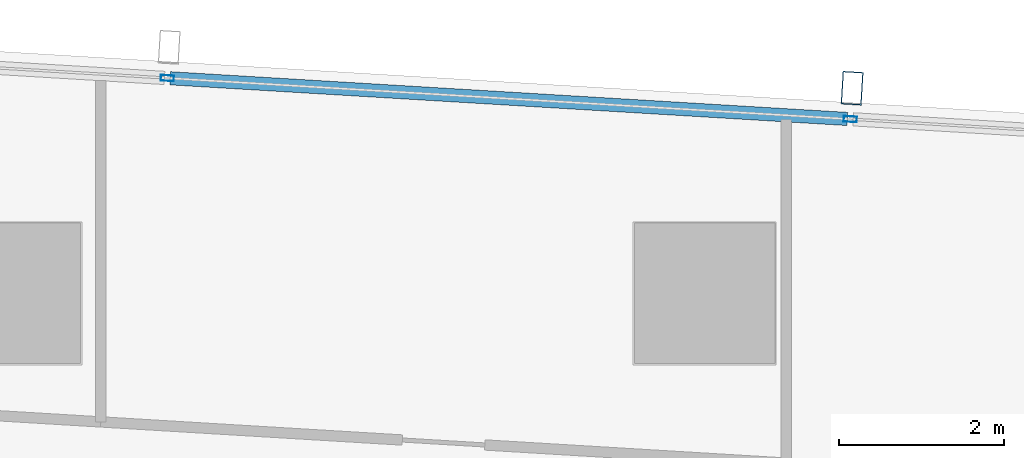
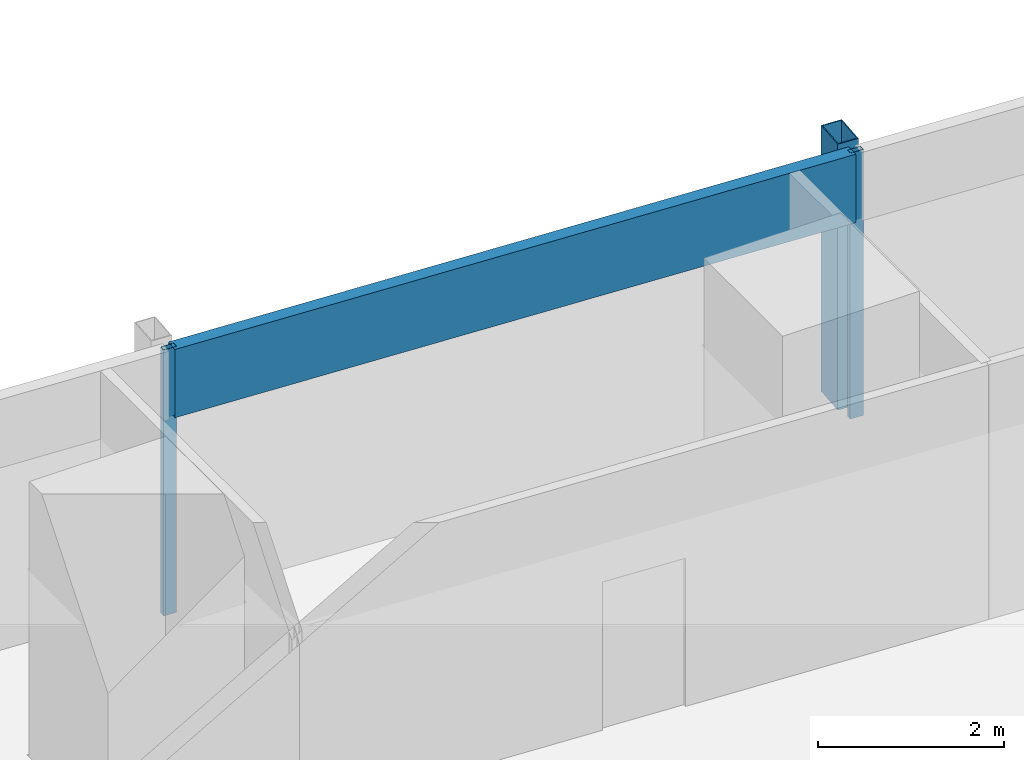
# One storey, part 19 of 40: 4 members, 1 element without a shape of its own.
"""IFC4 building model written with IfcOpenShell, lengths in metres."""

import ifcopenshell
import ifcopenshell.guid

model = None  # the IFC model being written
_history = None  # IfcOwnerHistory: only IFC2X3 demands one
_inside = {}  # id of a spatial element -> (the spatial element, [elements in it])
_under = {}  # id of a project, library or spatial element -> (it, [spatial elements below it])
_declared = {}  # id of a project -> (the project, [libraries it declares])
_typed = {}  # id of a type object -> (the type object, [elements of that type])
_made_of = {}  # id of a material, layer set ... -> (it, [elements and type objects made of it])


def new_model(schema):
    """Start an empty IFC model of exactly this schema.

    Asked for "IFC4X3", IfcOpenShell would pick the latest addendum, in which some entities
    have other attributes; the version numbers below select the first issue.
    IFC2X3 requires an IfcOwnerHistory on every rooted entity: one is made here for all.
    """
    global model, _history
    if schema == "IFC4X3":
        model = ifcopenshell.file(schema_version=(4, 3, 0, 0))
    else:
        model = ifcopenshell.file(schema=schema)
    _inside.clear()
    _under.clear()
    _declared.clear()
    _typed.clear()
    _made_of.clear()
    _history = None
    if model.schema == "IFC2X3":
        org = make("IfcOrganization", Name="unknown")
        user = make(
            "IfcPersonAndOrganization",
            ThePerson=make("IfcPerson", FamilyName="unknown"),
            TheOrganization=org,
        )
        app = make(
            "IfcApplication",
            ApplicationDeveloper=org,
            Version="unknown",
            ApplicationFullName="unknown",
            ApplicationIdentifier="unknown",
        )
        _history = make(
            "IfcOwnerHistory",
            OwningUser=user,
            OwningApplication=app,
            ChangeAction="ADDED",
            CreationDate=0,
        )
    return model


def make(cls, **values):
    """One entity of the class cls with the attributes given. An attribute that is None is left unset."""
    return model.create_entity(
        cls, **{name: value for name, value in values.items() if value is not None}
    )


def rooted(cls, **values):
    """An entity with a GlobalId (a new one), such as an element, a storey or a relation."""
    return make(cls, GlobalId=ifcopenshell.guid.new(), OwnerHistory=_history, **values)


def si_unit(unit_type, name, prefix=None):
    """IfcSIUnit, for example si_unit("LENGTHUNIT", "METRE", prefix="MILLI")."""
    return make("IfcSIUnit", UnitType=unit_type, Prefix=prefix, Name=name)


def assignment(units):
    """IfcUnitAssignment: the units of a project."""
    return None if units is None else make("IfcUnitAssignment", Units=units)


def point(xyz):
    """IfcCartesianPoint."""
    return None if xyz is None else make("IfcCartesianPoint", Coordinates=xyz)


def direction(xyz):
    """IfcDirection."""
    return None if xyz is None else make("IfcDirection", DirectionRatios=xyz)


def frame(location, z_axis=None, x_axis=None):
    """IfcAxis2Placement3D, a coordinate frame: its origin and axes. An axis left out is left unset."""
    return make(
        "IfcAxis2Placement3D",
        Location=point(location),
        Axis=direction(z_axis),
        RefDirection=direction(x_axis),
    )


def frame_2d(location, x_axis=None):
    """IfcAxis2Placement2D, a coordinate frame in the plane: its origin and x axis."""
    return make(
        "IfcAxis2Placement2D", Location=point(location), RefDirection=direction(x_axis)
    )


def origin():
    """The frame at (0, 0, 0) with its axes left unset."""
    return frame((0.0, 0.0, 0.0))


def origin_2d():
    """The frame at (0, 0) in the plane with its x axis left unset."""
    return frame_2d((0.0, 0.0))


def place(relative_to, where):
    """IfcLocalPlacement: puts the frame where relative to a parent placement (None: the world)."""
    return make(
        "IfcLocalPlacement", PlacementRelTo=relative_to, RelativePlacement=where
    )


def context(
    kind, dimensions, precision=None, world=None, true_north=None, identifier=None
):
    """IfcGeometricRepresentationContext, for example the 3D "Model" context."""
    return make(
        "IfcGeometricRepresentationContext",
        ContextIdentifier=identifier,
        ContextType=kind,
        CoordinateSpaceDimension=dimensions,
        Precision=precision,
        WorldCoordinateSystem=world,
        TrueNorth=true_north,
    )


def subcontext(parent, identifier, kind, view, scale=None):
    """IfcGeometricRepresentationSubContext, for example "Body" below "Model"."""
    return make(
        "IfcGeometricRepresentationSubContext",
        ContextIdentifier=identifier,
        ContextType=kind,
        ParentContext=parent,
        TargetScale=scale,
        TargetView=view,
    )


def project(units=None, contexts=None):
    """IfcProject with its units and contexts."""
    return rooted(
        "IfcProject",
        Name="project",
        RepresentationContexts=contexts,
        UnitsInContext=assignment(units),
    )


def spatial(cls, under=None, at=None, **own):
    """A site, building, storey or space (cls), placed at a placement, below another one or the project."""
    s = rooted(cls, ObjectPlacement=at, **own)
    if under is not None:
        _under.setdefault(under.id(), (under, []))[1].append(s)
    return s


def profile(cls, at=None, kind="AREA", **sizes):
    """A parametric profile (cls). Its sizes go by their IFC names, for example OverallWidth=200.0."""
    return make(cls, ProfileType=kind, Position=at, **sizes)


def hollow_rectangle(**sizes):
    """IfcRectangleHollowProfileDef."""
    return profile("IfcRectangleHollowProfileDef", **sizes)


def extrude(swept, where, along, depth):
    """IfcExtrudedAreaSolid: the profile swept, set in the frame where, extruded along a direction by depth."""
    return make(
        "IfcExtrudedAreaSolid",
        SweptArea=swept,
        Position=where,
        ExtrudedDirection=direction(along),
        Depth=depth,
    )


def shape(context_of_items, identifier, shape_type, items):
    """IfcShapeRepresentation: the items that make up one representation, for example the "Body"."""
    return make(
        "IfcShapeRepresentation",
        ContextOfItems=context_of_items,
        RepresentationIdentifier=identifier,
        RepresentationType=shape_type,
        Items=items,
    )


def material(Name=None, Category=None):
    """IfcMaterial."""
    return make("IfcMaterial", Name=Name, Category=Category)


def material_profile(
    of_material, cross_section, Name=None, Category=None, Priority=None
):
    """IfcMaterialProfile: a cross section and its material."""
    return make(
        "IfcMaterialProfile",
        Name=Name,
        Material=of_material,
        Profile=cross_section,
        Priority=Priority,
        Category=Category,
    )


def profile_set(profiles, Name=None, composite=None):
    """IfcMaterialProfileSet."""
    return make(
        "IfcMaterialProfileSet",
        Name=Name,
        MaterialProfiles=profiles,
        CompositeProfile=composite,
    )


def made_of(thing, what):
    """Note that an element or type object is made of a material, layer set ...; save() writes the relation."""
    if what is not None:
        _made_of.setdefault(what.id(), (what, []))[1].append(thing)
    return thing


def type_object(cls, material=None, **own):
    """A type object (cls), such as IfcWallType, which elements share."""
    return made_of(rooted(cls, **own), material)


def element(
    cls,
    number,
    at=None,
    inside=None,
    cuts=None,
    type_object=None,
    material=None,
    context=None,
    identifier="Body",
    shape_type=None,
    held_by="IfcProductDefinitionShape",
    body=None,
    shapes=None,
    **own,
):
    """One element of the class cls, such as IfcWall. Its Tag is "e" and its number.

    at: its placement. inside: the storey or other place that contains it. cuts: it is an
    opening in that element (IfcRelVoidsElement). A single representation is given by context,
    identifier, shape_type and body (its items); several are given by shapes. held_by: the class
    of the entity that holds the representations. save() writes the other relations.
    """
    e = rooted(cls, Tag="e%d" % number, ObjectPlacement=at, **own)
    if body is not None:
        shapes = [shape(context, identifier, shape_type, body)]
    if shapes is not None:
        e.Representation = make(held_by, Representations=shapes)
    if inside is not None:
        _inside.setdefault(inside.id(), (inside, []))[1].append(e)
    if cuts is not None:
        rooted(
            "IfcRelVoidsElement", RelatingBuildingElement=cuts, RelatedOpeningElement=e
        )
    if type_object is not None:
        _typed.setdefault(type_object.id(), (type_object, []))[1].append(e)
    return made_of(e, material)


def aggregate(whole, parts):
    """IfcRelAggregates: a whole, such as a stair, and the parts it consists of."""
    return rooted("IfcRelAggregates", RelatingObject=whole, RelatedObjects=parts)


def save(model, path):
    """Write the relations noted so far, then the file.

    IfcRelAggregates (storeys below a building ...), IfcRelContainedInSpatialStructure (elements
    in a storey), IfcRelDefinesByType, IfcRelAssociatesMaterial and IfcRelDeclares: one each for
    every whole, place, type object, material and project.
    """
    for whole, parts in _under.values():
        aggregate(whole, parts)
    for where, things in _inside.values():
        rooted(
            "IfcRelContainedInSpatialStructure",
            RelatedElements=things,
            RelatingStructure=where,
        )
    for kind, things in _typed.values():
        rooted("IfcRelDefinesByType", RelatedObjects=things, RelatingType=kind)
    for what, things in _made_of.values():
        rooted("IfcRelAssociatesMaterial", RelatedObjects=things, RelatingMaterial=what)
    for by, libraries in _declared.values():
        rooted("IfcRelDeclares", RelatingContext=by, RelatedDefinitions=libraries)
    model.write(path)


model = new_model("IFC4")

# Units and contexts
model_context = context("Model", 3, precision=1e-05, world=origin(), true_north=direction((0.0, 1.0)))
body_context = subcontext(model_context, "Body", "Model", "MODEL_VIEW")
ifc_project = project(units=[si_unit("LENGTHUNIT", "METRE"), si_unit("AREAUNIT", "SQUARE_METRE"), si_unit("VOLUMEUNIT", "CUBIC_METRE"), si_unit("PLANEANGLEUNIT", "RADIAN"), si_unit("MASSUNIT", "GRAM", prefix="KILO")], contexts=[model_context])

# Site, building, storey
site_placement = place(None, origin())
site = spatial("IfcSite", under=ifc_project, at=site_placement, CompositionType="ELEMENT")
building_placement = place(site_placement, origin())
building = spatial("IfcBuilding", under=site, at=building_placement, Name="Rekha Terrace Tower", CompositionType="ELEMENT")
storey_placement = place(building_placement, frame((0.0, 0.0, 121.550048828125)))
storey = spatial("IfcBuildingStorey", under=building, at=storey_placement, Name="L30", CompositionType="ELEMENT", Elevation=121.550048828125)

# Curtain wall, members
ifc_material_1 = material(Name="Aluminium framing", Category="aluminium")
curtain_wall_type = type_object("IfcCurtainWallType", Name="CW3 north unitised glazing", PredefinedType="USERDEFINED", material=ifc_material_1)
curtain_wall_placement = place(storey_placement, origin())
curtain_wall = element("IfcCurtainWall", 1, at=curtain_wall_placement, inside=storey, type_object=curtain_wall_type, Name="CW3 unitised curtain wall", ObjectType="UNITISED CURTAIN WALL", PredefinedType="USERDEFINED")
ifc_material_2 = material(Name="Steel S355 with fluorocarbon finish", Category="steel")
ifc_material_profile_1 = material_profile(ifc_material_2, hollow_rectangle(XDim=0.25, YDim=0.39990234375, WallThickness=0.012451171875, at=origin_2d()), Name="RHS400x250x12.5")
ifc_profile_set_1 = profile_set([ifc_material_profile_1], Name="Steel S355 with fluorocarbon finish")
member_type_1 = type_object("IfcMemberType", Name="BL1 facade blade RHS 400 x 250", PredefinedType="USERDEFINED", material=ifc_profile_set_1)
member_1_placement = place(storey_placement, frame((60.583740234375, 61.281005859375, 0.0), z_axis=(0.0, 0.0, 1.0), x_axis=(-0.998199123409, 0.059987582268, 0.0)))
member_1 = element("IfcMember", 2, at=member_1_placement, type_object=member_type_1, Name="Facade blade", ObjectType="FACADE BLADE", PredefinedType="USERDEFINED", context=body_context, shape_type="SweptSolid", body=[
    extrude(hollow_rectangle(XDim=0.25, YDim=0.39990234375, WallThickness=0.012451171875, at=origin_2d()), origin(), (0.0, 0.0, 1.0), 3.5),
])
ifc_material_3 = material(Name="Aluminium mullion section", Category="aluminium")
ifc_material_profile_2 = material_profile(ifc_material_3, hollow_rectangle(XDim=0.070068359375, YDim=0.159912109375, WallThickness=0.00390625, at=origin_2d()), Name="AL RHS 70x160")
ifc_profile_set_2 = profile_set([ifc_material_profile_2], Name="Aluminium mullion section")
member_type_2 = type_object("IfcMemberType", Name="CW3 mullion RHS 70 x 160", PredefinedType="MULLION", material=ifc_profile_set_2)
member_2_placement = place(storey_placement, frame((60.561279296875, 60.90673828125, 0.0), z_axis=(0.0, 0.0, 1.0), x_axis=(-0.059987926837, -0.998199102701, 0.0)))
member_2 = element("IfcMember", 3, at=member_2_placement, type_object=member_type_2, Name="CW3 mullion 2", PredefinedType="MULLION", context=body_context, shape_type="SweptSolid", body=[
    extrude(hollow_rectangle(XDim=0.070068359375, YDim=0.159912109375, WallThickness=0.00390625, at=origin_2d()), origin(), (0.0, 0.0, 1.0), 3.5),
])
member_3_placement = place(storey_placement, frame((52.299560546875, 61.4033203125, 0.0), z_axis=(0.0, 0.0, 1.0), x_axis=(-0.059987926837, -0.998199102701, 0.0)))
member_3 = element("IfcMember", 4, at=member_3_placement, type_object=member_type_2, Name="CW3 mullion 3", PredefinedType="MULLION", context=body_context, shape_type="SweptSolid", body=[
    extrude(hollow_rectangle(XDim=0.070068359375, YDim=0.159912109375, WallThickness=0.00390625, at=origin_2d()), origin(), (0.0, 0.0, 1.0), 3.5),
])
ifc_material_4 = material(Name="Insulated aluminium spandrel box", Category="aluminium")
ifc_material_profile_3 = material_profile(ifc_material_4, hollow_rectangle(XDim=0.159912109375, YDim=0.89990234375, WallThickness=0.0029296875, at=origin_2d()), Name="AL SPANDREL BOX 160x900")
ifc_profile_set_3 = profile_set([ifc_material_profile_3], Name="Insulated aluminium spandrel box")
member_type_3 = type_object("IfcMemberType", Name="CW3 spandrel transom 160 x 900", PredefinedType="USERDEFINED", material=ifc_profile_set_3)
member_4_placement = place(storey_placement, frame((60.5263671875, 60.908935546875, 3.050048828125), z_axis=(-0.998199826332, 0.059975884418, 0.0), x_axis=(-0.059975884418, -0.998199826332, 0.0)))
member_4 = element("IfcMember", 5, at=member_4_placement, type_object=member_type_3, Name="CW3 spandrel transom 2", ObjectType="TRANSOM", PredefinedType="USERDEFINED", context=body_context, shape_type="SweptSolid", body=[
    extrude(hollow_rectangle(XDim=0.159912109375, YDim=0.89990234375, WallThickness=0.0029296875, at=origin_2d()), origin(), (0.0, 0.0, 1.0), 8.20654296875),
])
aggregate(curtain_wall, [member_2, member_3, member_4, member_1])

save(model, "model.ifc")
